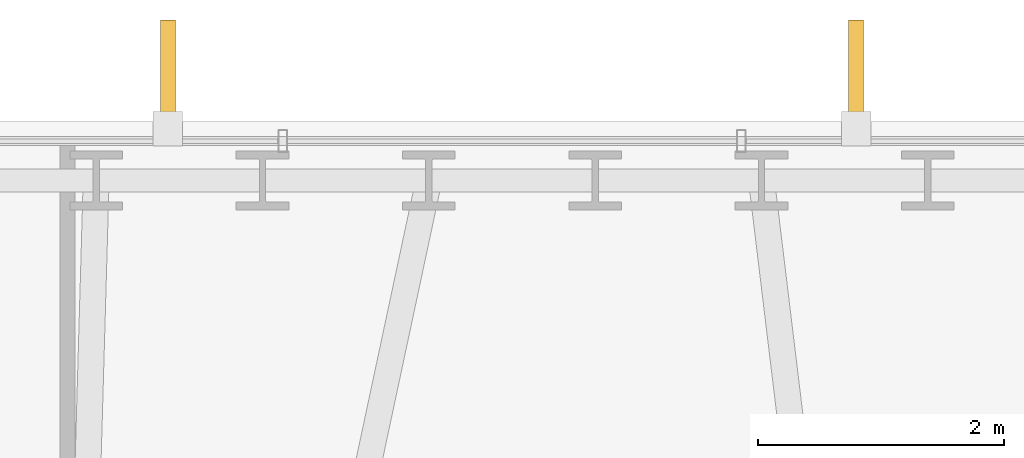
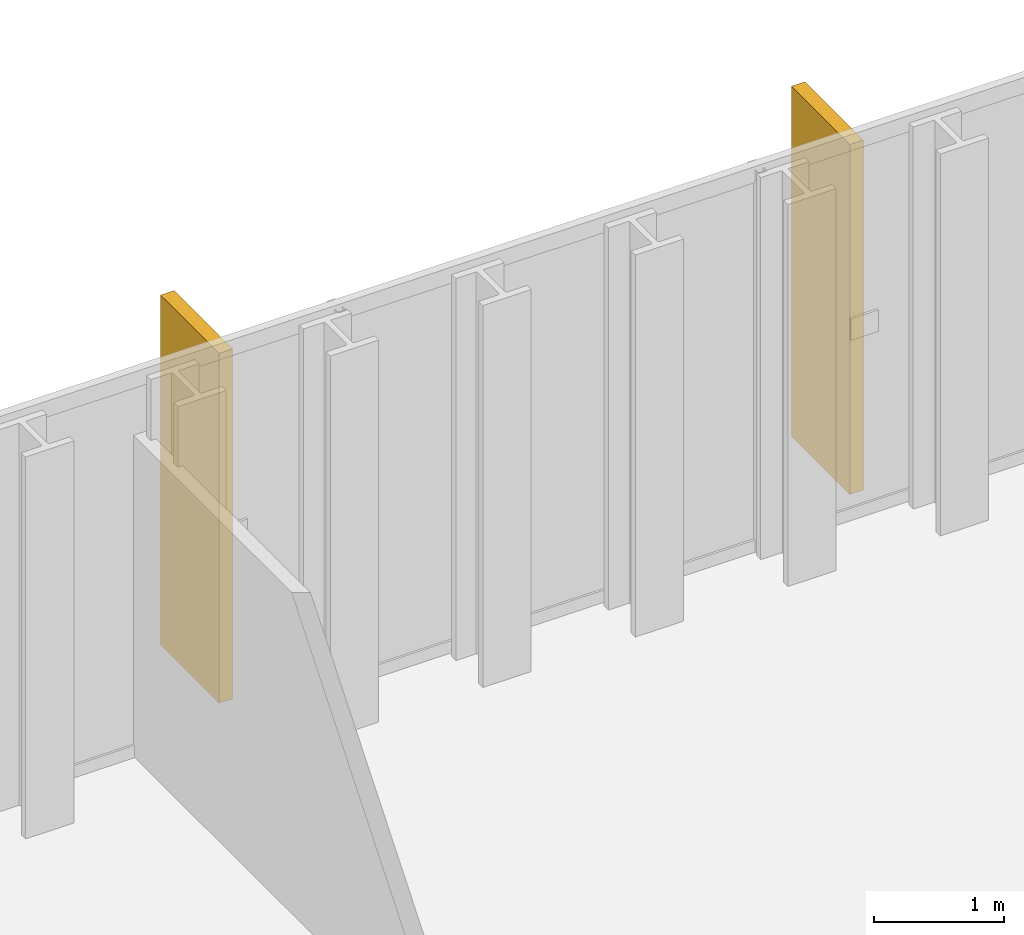
# One storey, part 33 of 33: 2 shading devices.
"""IFC4 building model written with IfcOpenShell, lengths in metres."""

from ifc_helpers import new_model, si_unit, direction, frame, origin, origin_2d, place, context, subcontext, project, spatial, rectangle, extrude, material, type_object, element, save


model = new_model("IFC4")

# Units and contexts
model_context = context("Model", 3, precision=1e-05, world=origin(), true_north=direction((0.0, 1.0)))
body_context = subcontext(model_context, "Body", "Model", "MODEL_VIEW")
ifc_project = project(units=[si_unit("LENGTHUNIT", "METRE"), si_unit("AREAUNIT", "SQUARE_METRE"), si_unit("VOLUMEUNIT", "CUBIC_METRE"), si_unit("PLANEANGLEUNIT", "RADIAN"), si_unit("MASSUNIT", "GRAM", prefix="KILO")], contexts=[model_context])

# Site, building, storey
site_placement = place(None, origin())
site = spatial("IfcSite", under=ifc_project, at=site_placement, CompositionType="ELEMENT")
building_placement = place(site_placement, origin())
building = spatial("IfcBuilding", under=site, at=building_placement, Name="Ndaravel Arena Tower", CompositionType="ELEMENT")
storey_placement = place(building_placement, frame((0.0, 0.0, 149.800048828125)))
storey = spatial("IfcBuildingStorey", under=building, at=storey_placement, Name="L35", CompositionType="ELEMENT", Elevation=149.800048828125)

# Shading devices
ifc_material = material(Name="Masonry", Category="masonry")
shading_device_type = type_object("IfcShadingDeviceType", Name="SHD-MAZERAS-FIN", PredefinedType="SHUTTER", material=ifc_material)
for number, where, z_axis, x_axis, name in (
    (1, (44.7958984375, 46.687744140625, 0.14990234375), (0.0, 0.0, 1.0), (0.0, 1.0, 0.0), "L35 Mazeras Stone Solar Fin E4.1"),
    (2, (39.2041015625, 46.687744140625, 0.14990234375), (0.0, 0.0, 1.0), (0.0, 1.0, 0.0), "L35 Mazeras Stone Solar Fin E4.2"),
):
    element("IfcShadingDevice", number, at=place(storey_placement, frame(where, z_axis=z_axis, x_axis=x_axis)), inside=storey, type_object=shading_device_type, Name=name, PredefinedType="SHUTTER", context=body_context, shape_type="SweptSolid", body=[
        extrude(rectangle(XDim=0.89990234375, YDim=0.1201171875, at=origin_2d()), origin(), (0.0, 0.0, 1.0), 3.280029296875),
    ])

save(model, "model.ifc")
